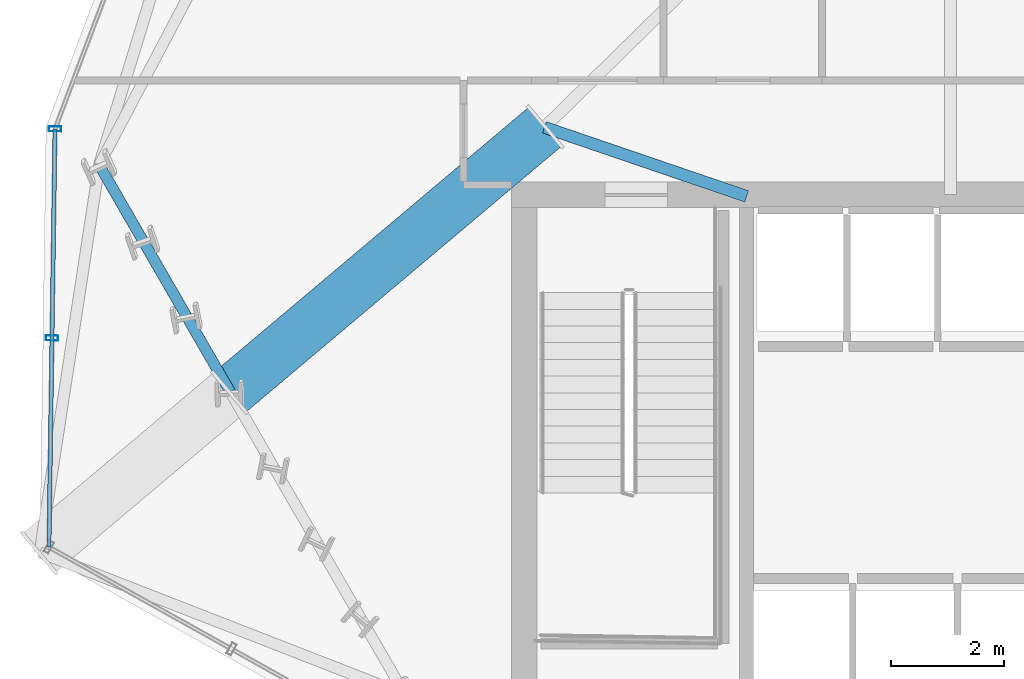
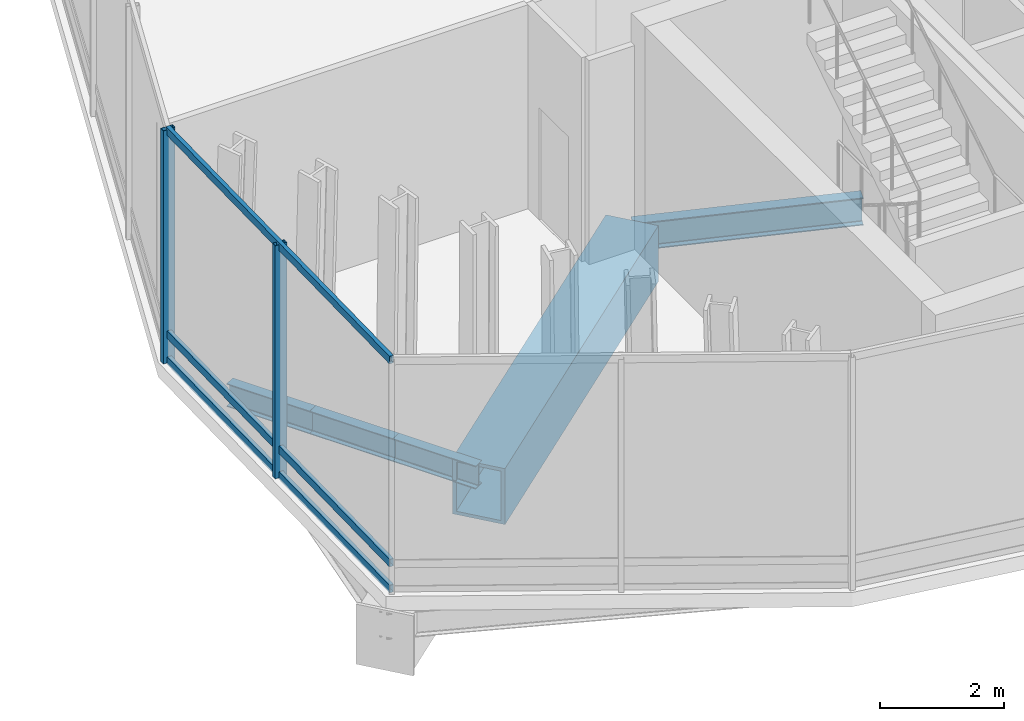
# One storey, part 4 of 26: 5 beams, 5 members, 1 element without a shape of its own.
"""IFC4 building model written with IfcOpenShell, lengths in metres."""

from ifc_helpers import new_model, si_unit, direction, frame, origin, origin_2d, place, context, subcontext, project, spatial, hollow_rectangle, i_section, extrude, material, layer, layer_set, material_profile, profile_set, type_object, element, aggregate, save


model = new_model("IFC4")

# Units and contexts
model_context = context("Model", 3, precision=1e-05, world=origin(), true_north=direction((0.0, 1.0)))
body_context = subcontext(model_context, "Body", "Model", "MODEL_VIEW")
ifc_project = project(units=[si_unit("LENGTHUNIT", "METRE"), si_unit("AREAUNIT", "SQUARE_METRE"), si_unit("VOLUMEUNIT", "CUBIC_METRE"), si_unit("PLANEANGLEUNIT", "RADIAN"), si_unit("MASSUNIT", "GRAM", prefix="KILO")], contexts=[model_context])

# Site, building, storey
site_placement = place(None, origin())
site = spatial("IfcSite", under=ifc_project, at=site_placement, CompositionType="ELEMENT")
building_placement = place(site_placement, origin())
building = spatial("IfcBuilding", under=site, at=building_placement, Name="Ndaravel Arena Tower", CompositionType="ELEMENT")
storey_placement = place(building_placement, frame((0.0, 0.0, 122.199951171875)))
storey = spatial("IfcBuildingStorey", under=building, at=storey_placement, Name="L28", CompositionType="ELEMENT", Elevation=122.199951171875)

# Beams
ifc_material_1 = material(Name="Steel S355", Category="steel")
ifc_material_profile_1 = material_profile(ifc_material_1, i_section(OverallWidth=0.210693359375, OverallDepth=0.53955078125, WebThickness=0.01171875, FlangeThickness=0.018798828125, FilletRadius=0.0126953125, at=origin_2d()), Name="UB 533x210x109")
ifc_profile_set_1 = profile_set([ifc_material_profile_1], Name="Steel S355")
beam_type_1 = type_object("IfcBeamType", Name="BM-GIRD-UB533", PredefinedType="BEAM", material=ifc_profile_set_1)
beam_1_placement = place(storey_placement, frame((30.60009765625, 14.949951171875, -0.5498046875), z_axis=(-0.946368669918, 0.323088750341, 0.0), x_axis=(-0.323088750341, -0.946368669918, 0.0)))
element("IfcBeam", 1, at=beam_1_placement, inside=storey, type_object=beam_type_1, Name="L28 Star Backspan Anchor Tie SAT1-1", PredefinedType="BEAM", context=body_context, shape_type="SweptSolid", body=[
    extrude(i_section(OverallWidth=0.210693359375, OverallDepth=0.53955078125, WebThickness=0.01171875, FlangeThickness=0.018798828125, FilletRadius=0.0126953125, at=origin_2d()), origin(), (0.0, 0.0, 1.0), 3.7744140625),
])
ifc_material_2 = material(Name="Steel S355", Category="steel")
ifc_material_profile_2 = material_profile(ifc_material_2, i_section(OverallWidth=0.18994140625, OverallDepth=0.449951171875, WebThickness=0.009521484375, FlangeThickness=0.0146484375, FilletRadius=0.02099609375, at=origin_2d()), Name="IPE 450")
ifc_profile_set_2 = profile_set([ifc_material_profile_2], Name="Steel S355")
beam_type_2 = type_object("IfcBeamType", Name="BM-SPAN-IPE450", PredefinedType="SPANDREL", material=ifc_profile_set_2)
for number, where, z_axis, x_axis, name in (
    (2, (19.16259765625, 15.50439453125, -0.5048828125), (0.499882215713, -0.866093395895, 0.0), (0.866093395895, 0.499882215713, 0.0), "L28 Perimeter Spandrel Beam SP-20"),
    (3, (19.93408203125, 14.167724609375, -0.5048828125), (0.500069364209, -0.865985352636, 0.0), (0.865985352636, 0.500069364209, 0.0), "L28 Perimeter Spandrel Beam SP-21"),
):
    element("IfcBeam", number, at=place(storey_placement, frame(where, z_axis=z_axis, x_axis=x_axis)), inside=storey, type_object=beam_type_2, Name=name, PredefinedType="SPANDREL", context=body_context, shape_type="SweptSolid", body=[
        extrude(i_section(OverallWidth=0.18994140625, OverallDepth=0.449951171875, WebThickness=0.009521484375, FlangeThickness=0.0146484375, FilletRadius=0.02099609375, at=origin_2d()), origin(), (0.0, 0.0, 1.0), 1.543212890625),
    ])
beam_2_placement = place(storey_placement, frame((20.705810546875, 12.831298828125, -0.5048828125), z_axis=(0.5000008632, -0.866024905415, 0.0), x_axis=(0.866024905415, 0.5000008632, 0.0)))
element("IfcBeam", 4, at=beam_2_placement, inside=storey, type_object=beam_type_2, Name="L28 Perimeter Spandrel Beam SP-22", PredefinedType="SPANDREL", context=body_context, shape_type="SweptSolid", body=[
    extrude(i_section(OverallWidth=0.18994140625, OverallDepth=0.449951171875, WebThickness=0.009521484375, FlangeThickness=0.0146484375, FilletRadius=0.02099609375, at=origin_2d()), origin(), (0.0, 0.0, 1.0), 1.54345703125),
])
ifc_material_3 = material(Name="Steel S460", Category="steel")
ifc_material_profile_3 = material_profile(ifc_material_3, hollow_rectangle(XDim=0.89990234375, YDim=1.10009765625, WallThickness=0.06494140625, at=origin_2d()), Name="BOX 1100x900x65")
ifc_profile_set_3 = profile_set([ifc_material_profile_3], Name="Steel S460")
beam_type_3 = type_object("IfcBeamType", Name="BM-STAR-BOX1100", PredefinedType="BEAM", material=ifc_profile_set_3)
beam_3_placement = place(storey_placement, frame((27.028076171875, 16.16943359375, -0.829833984375), z_axis=(-0.764865830432, -0.644189616059, 0.0), x_axis=(0.644189616059, -0.764865830432, 0.0)))
element("IfcBeam", 5, at=beam_3_placement, inside=storey, type_object=beam_type_3, Name="L28 Star Cantilever Backspan Girder SBG-1", PredefinedType="BEAM", context=body_context, shape_type="SweptSolid", body=[
    extrude(hollow_rectangle(XDim=0.89990234375, YDim=1.10009765625, WallThickness=0.06494140625, at=origin_2d()), origin(), (0.0, 0.0, 1.0), 7.2568359375),
])

# Curtain wall, members
ifc_material_4 = material(Name="Aluminium", Category="aluminium")
ifc_layer = layer(ifc_material_4, 0.179931640625)
ifc_layer_set = layer_set([ifc_layer], Name="Aluminium")
curtain_wall_type = type_object("IfcCurtainWallType", Name="CW-SYS-04", PredefinedType="NOTDEFINED", material=ifc_layer_set)
curtain_wall_placement = place(storey_placement, origin())
curtain_wall = element("IfcCurtainWall", 6, at=curtain_wall_placement, inside=storey, type_object=curtain_wall_type, Name="L28 Faceted Crystal Curtain Wall CW-L28-E12", PredefinedType="NOTDEFINED")
ifc_material_5 = material(Name="Aluminium", Category="aluminium")
ifc_material_profile_4 = material_profile(ifc_material_5, hollow_rectangle(XDim=0.090087890625, YDim=0.219970703125, WallThickness=0.0048828125, at=origin_2d()), Name="CW MULLION 90x220x5")
ifc_profile_set_4 = profile_set([ifc_material_profile_4], Name="Aluminium")
member_type_1 = type_object("IfcMemberType", Name="MEM-CW-MUL220", PredefinedType="MULLION", material=ifc_profile_set_4)
member_1_placement = place(storey_placement, frame((18.382080078125, 16.142333984375, 0.0), z_axis=(0.0, 0.0, 1.0), x_axis=(-0.014503177598, -0.999894823389, 0.0)))
member_1 = element("IfcMember", 7, at=member_1_placement, type_object=member_type_1, Name="CW-L28-E12 Mullion 00", PredefinedType="MULLION", context=body_context, shape_type="SweptSolid", body=[
    extrude(hollow_rectangle(XDim=0.090087890625, YDim=0.219970703125, WallThickness=0.0048828125, at=origin_2d()), origin(), (0.0, 0.0, 1.0), 4.580078125),
])
member_2_placement = place(storey_placement, frame((18.32861328125, 12.448486328125, 0.0), z_axis=(0.0, 0.0, 1.0), x_axis=(-0.014503177598, -0.999894823389, 0.0)))
member_2 = element("IfcMember", 8, at=member_2_placement, type_object=member_type_1, Name="CW-L28-E12 Mullion 01", PredefinedType="MULLION", context=body_context, shape_type="SweptSolid", body=[
    extrude(hollow_rectangle(XDim=0.090087890625, YDim=0.219970703125, WallThickness=0.0048828125, at=origin_2d()), origin(), (0.0, 0.0, 1.0), 4.580078125),
])
ifc_material_6 = material(Name="Aluminium", Category="aluminium")
ifc_material_profile_5 = material_profile(ifc_material_6, hollow_rectangle(XDim=0.074951171875, YDim=0.14990234375, WallThickness=0.00390625, at=origin_2d()), Name="CW TRANSOM 75x150x4")
ifc_profile_set_5 = profile_set([ifc_material_profile_5], Name="Aluminium")
member_type_2 = type_object("IfcMemberType", Name="MEM-CW-TRN150", PredefinedType="USERDEFINED", material=ifc_profile_set_5)
member_3_placement = place(storey_placement, frame((18.382080078125, 16.142333984375, 0.0400390625), z_axis=(-0.014505595059, -0.999894788321, 0.0), x_axis=(0.999894788321, -0.014505595059, 0.0)))
member_3 = element("IfcMember", 9, at=member_3_placement, type_object=member_type_2, Name="CW-L28-E12 Transom 01", ObjectType="TRANSOM", PredefinedType="USERDEFINED", context=body_context, shape_type="SweptSolid", body=[
    extrude(hollow_rectangle(XDim=0.074951171875, YDim=0.14990234375, WallThickness=0.00390625, at=origin_2d()), origin(), (0.0, 0.0, 1.0), 7.388671875),
])
member_4_placement = place(storey_placement, frame((18.382080078125, 16.142333984375, 0.550048828125), z_axis=(-0.014505595059, -0.999894788321, 0.0), x_axis=(0.999894788321, -0.014505595059, 0.0)))
member_4 = element("IfcMember", 10, at=member_4_placement, type_object=member_type_2, Name="CW-L28-E12 Transom 02", ObjectType="TRANSOM", PredefinedType="USERDEFINED", context=body_context, shape_type="SweptSolid", body=[
    extrude(hollow_rectangle(XDim=0.074951171875, YDim=0.14990234375, WallThickness=0.00390625, at=origin_2d()), origin(), (0.0, 0.0, 1.0), 7.388671875),
])
member_5_placement = place(storey_placement, frame((18.382080078125, 16.142333984375, 4.5400390625), z_axis=(-0.014505595059, -0.999894788321, 0.0), x_axis=(0.999894788321, -0.014505595059, 0.0)))
member_5 = element("IfcMember", 11, at=member_5_placement, type_object=member_type_2, Name="CW-L28-E12 Transom 03", ObjectType="TRANSOM", PredefinedType="USERDEFINED", context=body_context, shape_type="SweptSolid", body=[
    extrude(hollow_rectangle(XDim=0.074951171875, YDim=0.14990234375, WallThickness=0.00390625, at=origin_2d()), origin(), (0.0, 0.0, 1.0), 7.388671875),
])
aggregate(curtain_wall, [member_1, member_2, member_3, member_4, member_5])

save(model, "model.ifc")
